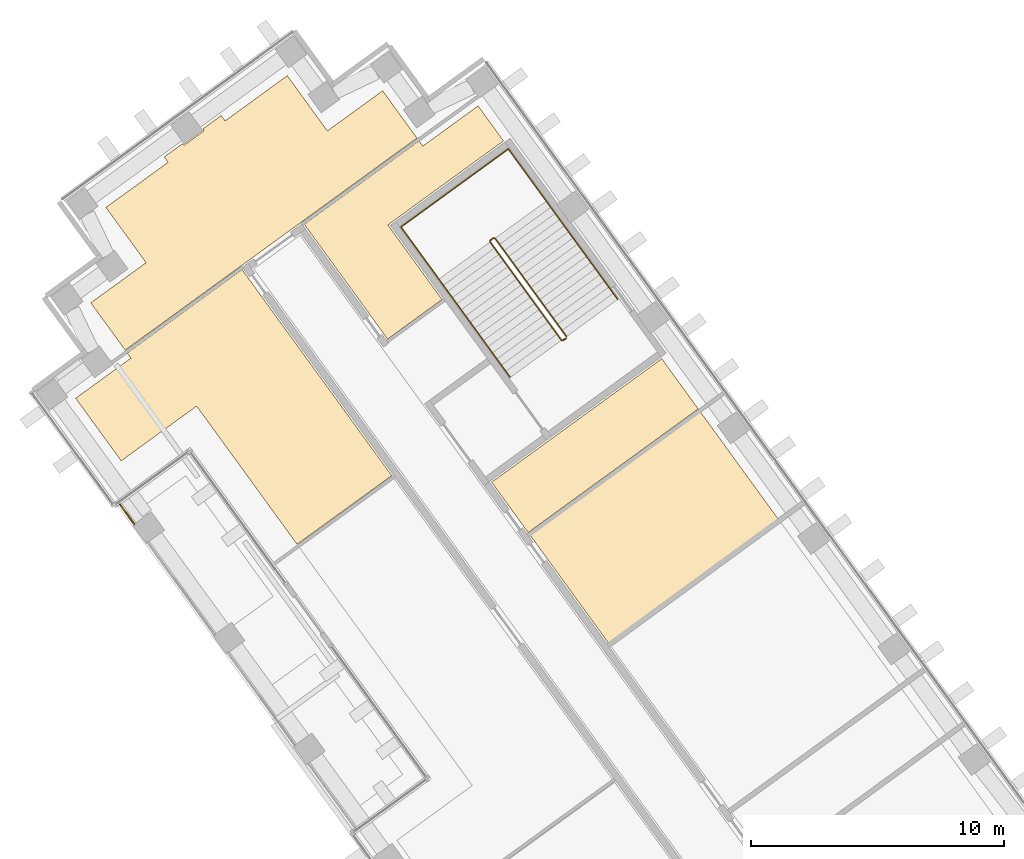
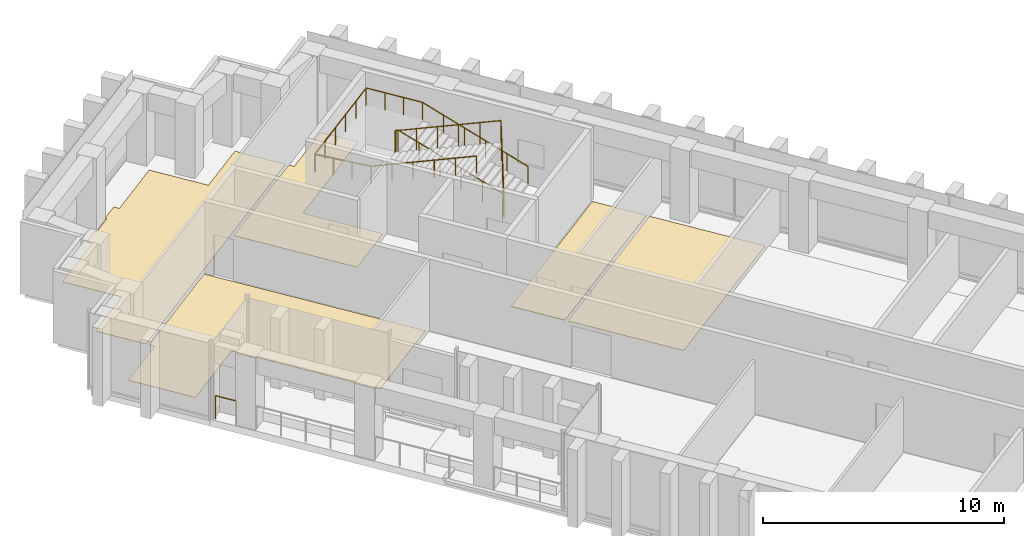
# One storey, part 15 of 17: 5 coverings, 3 railings.
"""IFC4 building model written with IfcOpenShell, lengths in metres."""

from ifc_helpers import new_model, si_unit, direction, frame, origin, origin_2d, place, context, subcontext, project, spatial, polyline, circle, outline, extrude, material, layer, layer_set, type_object, element, save


model = new_model("IFC4")

# Units and contexts
model_context = context("Model", 3, precision=1e-05, world=origin(), true_north=direction((0.0, 1.0)))
body_context = subcontext(model_context, "Body", "Model", "MODEL_VIEW")
ifc_project = project(units=[si_unit("LENGTHUNIT", "METRE"), si_unit("AREAUNIT", "SQUARE_METRE"), si_unit("VOLUMEUNIT", "CUBIC_METRE"), si_unit("PLANEANGLEUNIT", "RADIAN"), si_unit("MASSUNIT", "GRAM", prefix="KILO")], contexts=[model_context])

# Site, building, storey
site_placement = place(None, origin())
site = spatial("IfcSite", under=ifc_project, at=site_placement, CompositionType="ELEMENT")
building_placement = place(site_placement, origin())
building = spatial("IfcBuilding", under=site, at=building_placement, Name="Quipu Civic Tower", CompositionType="ELEMENT")
storey_placement = place(building_placement, frame((0.0, 0.0, 43.0)))
storey = spatial("IfcBuildingStorey", under=building, at=storey_placement, Name="L09", CompositionType="ELEMENT", Elevation=43.0)

# Coverings
ifc_material_1 = material(Name="Carpet tile on raised access floor")
ifc_layer_1 = layer(ifc_material_1, 0.02001953125)
ifc_layer_set_1 = layer_set([ifc_layer_1], Name="Carpet tile on raised access floor")
covering_type_1 = type_object("IfcCoveringType", Name="Carpet tile floor finish 20", PredefinedType="FLOORING", material=ifc_layer_set_1)
covering_1_placement = place(storey_placement, origin())
element("IfcCovering", 1, at=covering_1_placement, inside=storey, type_object=covering_type_1, Name="Carpet tile floor finish 20", PredefinedType="FLOORING", context=body_context, shape_type="SweptSolid", body=[
    extrude(outline(polyline([(-44.445068359375, 36.23193359375), (-39.906005859375, 39.530029296875), (-39.757080078125, 39.327880859375), (-37.573974609375, 40.9130859375), (-36.570068359375, 39.530029296875), (-41.139892578125, 36.208984375), (-38.998046875, 33.260009765625), (-41.15087890625, 31.697021484375), (-44.445068359375, 36.23193359375)])), origin(), (0.0, 0.0, 1.0), 0.02001953125),
])
covering_2_placement = place(storey_placement, origin())
element("IfcCovering", 2, at=covering_2_placement, inside=storey, type_object=covering_type_1, Name="Carpet tile floor finish 20", PredefinedType="FLOORING", context=body_context, shape_type="SweptSolid", body=[
    extrude(outline(polyline([(-53.47998046875, 29.35791015625), (-51.298095703125, 30.943115234375), (-51.443115234375, 31.14599609375), (-46.904052734375, 34.444091796875), (-40.988037109375, 26.301025390625), (-44.72998046875, 23.583984375), (-48.699951171875, 29.048095703125), (-51.681884765625, 26.882080078125), (-53.47998046875, 29.35791015625)])), origin(), (0.0, 0.0, 1.0), 0.02001953125),
])
covering_3_placement = place(storey_placement, origin())
element("IfcCovering", 3, at=covering_3_placement, inside=storey, type_object=covering_type_1, Name="Carpet tile floor finish 20", PredefinedType="FLOORING", context=body_context, shape_type="SweptSolid", body=[
    extrude(outline(polyline([(-35.512939453125, 23.93896484375), (-28.7900390625, 28.822021484375), (-25.698974609375, 24.56689453125), (-32.422119140625, 19.68310546875), (-35.512939453125, 23.93896484375)])), origin(), (0.0, 0.0, 1.0), 0.02001953125),
])
covering_4_placement = place(storey_placement, origin())
element("IfcCovering", 4, at=covering_4_placement, inside=storey, type_object=covering_type_1, Name="Carpet tile floor finish 20", PredefinedType="FLOORING", context=body_context, shape_type="SweptSolid", body=[
    extrude(outline(polyline([(-52.883056640625, 33.12890625), (-50.698974609375, 34.717041015625), (-52.284912109375, 36.90087890625), (-49.826904296875, 38.68603515625), (-49.97900390625, 38.89697265625), (-49.259033203125, 39.4208984375), (-49.236083984375, 39.388916015625), (-49.23291015625, 39.385009765625), (-49.22900390625, 39.382080078125), (-49.22607421875, 39.3779296875), (-49.220947265625, 39.3759765625), (-49.217041015625, 39.373046875), (-49.212890625, 39.37109375), (-49.2080078125, 39.3701171875), (-49.202880859375, 39.368896484375), (-49.197998046875, 39.367919921875), (-49.193115234375, 39.367919921875), (-49.18896484375, 39.368896484375), (-49.18408203125, 39.3701171875), (-49.178955078125, 39.37109375), (-49.174072265625, 39.373046875), (-49.169921875, 39.375), (-49.166015625, 39.3779296875), (-48.43798828125, 39.906982421875), (-48.43408203125, 39.909912109375), (-48.430908203125, 39.9130859375), (-48.427001953125, 39.9169921875), (-48.425048828125, 39.9208984375), (-48.422119140625, 39.926025390625), (-48.419921875, 39.929931640625), (-48.4189453125, 39.93505859375), (-48.41796875, 39.93994140625), (-48.4169921875, 39.944091796875), (-48.4169921875, 39.948974609375), (-48.41796875, 39.9541015625), (-48.4189453125, 39.958984375), (-48.419921875, 39.964111328125), (-48.422119140625, 39.968017578125), (-48.424072265625, 39.972900390625), (-48.427001953125, 39.97705078125), (-48.449951171875, 40.008056640625), (-47.72900390625, 40.531982421875), (-47.574951171875, 40.322021484375), (-45.116943359375, 42.10791015625), (-43.531982421875, 39.925048828125), (-41.346923828125, 41.510986328125), (-39.989013671875, 39.64208984375), (-51.52587890625, 31.260009765625), (-52.883056640625, 33.12890625)])), origin(), (0.0, 0.0, 1.0), 0.02001953125),
])
ifc_material_2 = material(Name="Ceramic floor tile")
ifc_layer_2 = layer(ifc_material_2, 0.030029296875)
ifc_layer_set_2 = layer_set([ifc_layer_2], Name="Ceramic floor tile")
covering_type_2 = type_object("IfcCoveringType", Name="Ceramic tile floor finish 30", PredefinedType="FLOORING", material=ifc_layer_set_2)
covering_5_placement = place(storey_placement, origin())
element("IfcCovering", 5, at=covering_5_placement, inside=storey, type_object=covering_type_2, Name="Ceramic tile floor finish 30", PredefinedType="FLOORING", context=body_context, shape_type="SweptSolid", body=[
    extrude(outline(polyline([(-37.0380859375, 26.0380859375), (-30.31494140625, 30.922119140625), (-28.873046875, 28.93505859375), (-35.595947265625, 24.052001953125), (-37.0380859375, 26.0380859375)])), origin(), (0.0, 0.0, 1.0), 0.030029296875),
])

# Railings
ifc_material_3 = material(Name="Stainless steel", Category="steel")
railing_type_1 = type_object("IfcRailingType", Name="Stair guard 1100", PredefinedType="GUARDRAIL", material=ifc_material_3)
railing_1_placement = place(storey_placement, frame((-34.078857421875, 31.79736328125, 0.11767578125)))
element("IfcRailing", 6, at=railing_1_placement, inside=storey, type_object=railing_type_1, Name="Stair 6 guard", PredefinedType="GUARDRAIL", context=body_context, shape_type="SweptSolid", body=[
    extrude(circle(Radius=0.02392578125, at=origin_2d()), frame((0.0, 0.0, 1.076171875), z_axis=(-0.54720100349, 0.753182689643, 0.365084781664), x_axis=(-0.809026317077, -0.587772420479, 0.0)), (0.0, 0.0, 1.0), 5.15576171875),
    extrude(circle(Radius=0.02392578125, at=origin_2d()), frame((-2.8212890625, 3.88330078125, 2.95849609375), z_axis=(-0.987846838465, 0.155430446612, 0.0), x_axis=(-0.155430446612, -0.987846838465, 0.0)), (0.0, 0.0, 1.0), 0.07080078125),
    extrude(circle(Radius=0.02392578125, at=origin_2d()), frame((-2.89111328125, 3.894287109375, 2.95849609375), z_axis=(-0.809649071907, -0.586914287065, 0.0), x_axis=(0.586914287065, -0.809649071907, 0.0)), (0.0, 0.0, 1.0), 0.150146484375),
    extrude(circle(Radius=0.02392578125, at=origin_2d()), frame((-3.0126953125, 3.80615234375, 2.95849609375), z_axis=(-0.080033047627, -0.508654480474, 0.857242865693), x_axis=(0.987846838465, -0.155430446612, 0.0)), (0.0, 0.0, 1.0), 0.13720703125),
    extrude(circle(Radius=0.02392578125, at=origin_2d()), frame((-3.023681640625, 3.736328125, 3.076171875), z_axis=(0.54720100349, -0.753182689643, 0.365084781664), x_axis=(0.809026317077, 0.587772420479, 0.0)), (0.0, 0.0, 1.0), 5.15576171875),
    extrude(circle(Radius=0.02392578125, at=origin_2d()), frame((-0.202392578125, -0.14697265625, 4.95849609375), z_axis=(0.047788004556, 0.019261491632, -0.998671768681), x_axis=(-0.373837031195, 0.92749440651, 0.0)), (0.0, 0.0, 1.0), 4.00537109375),
    extrude(circle(Radius=0.02392578125, at=origin_2d()), frame((-0.010986328125, -0.06982421875, 0.95849609375), z_axis=(-0.809087927272, -0.587687609145, 0.0), x_axis=(0.587687609145, -0.809087927272, 0.0)), (0.0, 0.0, 1.0), 0.14990234375),
    extrude(circle(Radius=0.02099609375, at=origin_2d()), origin(), (0.0, 0.0, 1.0), 1.052001953125),
    extrude(circle(Radius=0.02099609375, at=origin_2d()), frame((-0.564208984375, 0.776611328125, 0.37646484375)), (0.0, 0.0, 1.0), 1.052001953125),
    extrude(circle(Radius=0.02099609375, at=origin_2d()), frame((-1.12841796875, 1.55322265625, 0.7529296875)), (0.0, 0.0, 1.0), 1.052001953125),
    extrude(circle(Radius=0.02099609375, at=origin_2d()), frame((-1.69287109375, 2.330078125, 1.12939453125)), (0.0, 0.0, 1.0), 1.052001953125),
    extrude(circle(Radius=0.02099609375, at=origin_2d()), frame((-2.257080078125, 3.106689453125, 1.505859375)), (0.0, 0.0, 1.0), 1.052001953125),
    extrude(circle(Radius=0.02099609375, at=origin_2d()), frame((-2.8212890625, 3.88330078125, 1.88232421875)), (0.0, 0.0, 1.0), 1.052001953125),
    extrude(circle(Radius=0.02099609375, at=origin_2d()), frame((-2.89111328125, 3.894287109375, 1.88232421875)), (0.0, 0.0, 1.0), 1.052001953125),
    extrude(circle(Radius=0.02099609375, at=origin_2d()), frame((-3.0126953125, 3.80615234375, 1.88232421875)), (0.0, 0.0, 1.0), 1.052001953125),
    extrude(circle(Radius=0.02099609375, at=origin_2d()), frame((-3.023681640625, 3.736328125, 2.0)), (0.0, 0.0, 1.0), 1.052001953125),
    extrude(circle(Radius=0.02099609375, at=origin_2d()), frame((-2.45947265625, 2.959716796875, 2.37646484375)), (0.0, 0.0, 1.0), 1.052001953125),
    extrude(circle(Radius=0.02099609375, at=origin_2d()), frame((-1.895263671875, 2.18310546875, 2.7529296875)), (0.0, 0.0, 1.0), 1.052001953125),
    extrude(circle(Radius=0.02099609375, at=origin_2d()), frame((-1.330810546875, 1.40625, 3.12939453125)), (0.0, 0.0, 1.0), 1.052001953125),
    extrude(circle(Radius=0.02099609375, at=origin_2d()), frame((-0.7666015625, 0.629638671875, 3.505859375)), (0.0, 0.0, 1.0), 1.052001953125),
    extrude(circle(Radius=0.02099609375, at=origin_2d()), frame((-0.202392578125, -0.14697265625, 3.88232421875)), (0.0, 0.0, 1.0), 1.052001953125),
    extrude(circle(Radius=0.02099609375, at=origin_2d()), frame((-0.154541015625, -0.127685546875, 2.88232421875)), (0.0, 0.0, 1.0), 1.052001953125),
    extrude(circle(Radius=0.02099609375, at=origin_2d()), frame((-0.106689453125, -0.1083984375, 1.88232421875)), (0.0, 0.0, 1.0), 1.052001953125),
    extrude(circle(Radius=0.02099609375, at=origin_2d()), frame((-0.058837890625, -0.089111328125, 0.88232421875)), (0.0, 0.0, 1.0), 1.052001953125),
    extrude(circle(Radius=0.02099609375, at=origin_2d()), frame((-0.010986328125, -0.06982421875, -0.11767578125)), (0.0, 0.0, 1.0), 1.052001953125),
    extrude(circle(Radius=0.02099609375, at=origin_2d()), frame((-0.13232421875, -0.157958984375, -0.11767578125)), (0.0, 0.0, 1.0), 1.052001953125),
])
ifc_material_4 = material(Name="Stainless steel", Category="steel")
railing_type_2 = type_object("IfcRailingType", Name="Stair handrail", PredefinedType="HANDRAIL", material=ifc_material_4)
railing_2_placement = place(storey_placement, frame((-32.056396484375, 33.266845703125, 0.11767578125)))
element("IfcRailing", 7, at=railing_2_placement, inside=storey, type_object=railing_type_2, Name="Stair 6 handrail", PredefinedType="HANDRAIL", context=body_context, shape_type="SweptSolid", body=[
    extrude(circle(Radius=0.02392578125, at=origin_2d()), frame((0.0, 0.0, 0.8759765625), z_axis=(-0.54720100349, 0.753182689643, 0.365084781664), x_axis=(-0.809026317077, -0.587772420479, 0.0)), (0.0, 0.0, 1.0), 5.15576171875),
    extrude(circle(Radius=0.02392578125, at=origin_2d()), frame((-2.8212890625, 3.88330078125, 2.75830078125), z_axis=(-0.587767432704, 0.809029940764, 0.0), x_axis=(-0.809029940764, -0.587767432704, 0.0)), (0.0, 0.0, 1.0), 2.550048828125),
    extrude(circle(Radius=0.02392578125, at=origin_2d()), frame((-4.320068359375, 5.9462890625, 2.75830078125), z_axis=(-0.809009483706, -0.587795589702, 0.0), x_axis=(0.587795589702, -0.809009483706, 0.0)), (0.0, 0.0, 1.0), 5.25),
    extrude(circle(Radius=0.02392578125, at=origin_2d()), frame((-8.5673828125, 2.8603515625, 2.75830078125), z_axis=(0.587142558822, -0.808169835812, 0.046099155132), x_axis=(0.809029940764, 0.587767432704, 0.0)), (0.0, 0.0, 1.0), 2.552734375),
    extrude(circle(Radius=0.02392578125, at=origin_2d()), frame((-7.068603515625, 0.79736328125, 2.8759765625), z_axis=(0.54720100349, -0.753182689643, 0.365084781664), x_axis=(0.809026317077, 0.587772420479, 0.0)), (0.0, 0.0, 1.0), 5.15576171875),
    extrude(circle(Radius=0.02099609375, at=origin_2d()), origin(), (0.0, 0.0, 1.0), 0.851806640625),
    extrude(circle(Radius=0.02099609375, at=origin_2d()), frame((-0.564208984375, 0.776611328125, 0.37646484375)), (0.0, 0.0, 1.0), 0.851806640625),
    extrude(circle(Radius=0.02099609375, at=origin_2d()), frame((-1.12841796875, 1.55322265625, 0.7529296875)), (0.0, 0.0, 1.0), 0.851806640625),
    extrude(circle(Radius=0.02099609375, at=origin_2d()), frame((-1.69287109375, 2.330078125, 1.12939453125)), (0.0, 0.0, 1.0), 0.851806640625),
    extrude(circle(Radius=0.02099609375, at=origin_2d()), frame((-2.257080078125, 3.106689453125, 1.505859375)), (0.0, 0.0, 1.0), 0.851806640625),
    extrude(circle(Radius=0.02099609375, at=origin_2d()), frame((-2.8212890625, 3.88330078125, 1.88232421875)), (0.0, 0.0, 1.0), 0.851806640625),
    extrude(circle(Radius=0.02099609375, at=origin_2d()), frame((-3.32080078125, 4.571044921875, 1.88232421875)), (0.0, 0.0, 1.0), 0.851806640625),
    extrude(circle(Radius=0.02099609375, at=origin_2d()), frame((-3.820556640625, 5.258544921875, 1.88232421875)), (0.0, 0.0, 1.0), 0.851806640625),
    extrude(circle(Radius=0.02099609375, at=origin_2d()), frame((-4.320068359375, 5.9462890625, 1.88232421875)), (0.0, 0.0, 1.0), 0.851806640625),
    extrude(circle(Radius=0.02099609375, at=origin_2d()), frame((-5.16943359375, 5.3291015625, 1.88232421875)), (0.0, 0.0, 1.0), 0.851806640625),
    extrude(circle(Radius=0.02099609375, at=origin_2d()), frame((-6.01904296875, 4.7119140625, 1.88232421875)), (0.0, 0.0, 1.0), 0.851806640625),
    extrude(circle(Radius=0.02099609375, at=origin_2d()), frame((-6.868408203125, 4.0947265625, 1.88232421875)), (0.0, 0.0, 1.0), 0.851806640625),
    extrude(circle(Radius=0.02099609375, at=origin_2d()), frame((-7.718017578125, 3.4775390625, 1.88232421875)), (0.0, 0.0, 1.0), 0.851806640625),
    extrude(circle(Radius=0.02099609375, at=origin_2d()), frame((-8.5673828125, 2.8603515625, 1.88232421875)), (0.0, 0.0, 1.0), 0.851806640625),
    extrude(circle(Radius=0.02099609375, at=origin_2d()), frame((-8.06787109375, 2.172607421875, 1.921630859375)), (0.0, 0.0, 1.0), 0.851806640625),
    extrude(circle(Radius=0.02099609375, at=origin_2d()), frame((-7.568115234375, 1.485107421875, 1.960693359375)), (0.0, 0.0, 1.0), 0.851806640625),
    extrude(circle(Radius=0.02099609375, at=origin_2d()), frame((-7.068603515625, 0.79736328125, 2.0)), (0.0, 0.0, 1.0), 0.851806640625),
    extrude(circle(Radius=0.02099609375, at=origin_2d()), frame((-6.50439453125, 0.020751953125, 2.37646484375)), (0.0, 0.0, 1.0), 0.851806640625),
    extrude(circle(Radius=0.02099609375, at=origin_2d()), frame((-5.940185546875, -0.755859375, 2.7529296875)), (0.0, 0.0, 1.0), 0.851806640625),
    extrude(circle(Radius=0.02099609375, at=origin_2d()), frame((-5.375732421875, -1.53271484375, 3.12939453125)), (0.0, 0.0, 1.0), 0.851806640625),
    extrude(circle(Radius=0.02099609375, at=origin_2d()), frame((-4.8115234375, -2.309326171875, 3.505859375)), (0.0, 0.0, 1.0), 0.851806640625),
    extrude(circle(Radius=0.02099609375, at=origin_2d()), frame((-4.247314453125, -3.0859375, 3.88232421875)), (0.0, 0.0, 1.0), 0.851806640625),
])
ifc_material_5 = material(Name="Steel S275", Category="steel")
railing_type_3 = type_object("IfcRailingType", Name="Terrace guard G1", PredefinedType="GUARDRAIL", material=ifc_material_5)
railing_3_placement = place(storey_placement, frame((-51.725830078125, 25.156494140625, 0.0)))
element("IfcRailing", 8, at=railing_3_placement, inside=storey, type_object=railing_type_3, Name="Terrace guard L09.1", PredefinedType="GUARDRAIL", context=body_context, shape_type="SweptSolid", body=[
    extrude(circle(Radius=0.02490234375, at=origin_2d()), frame((0.0, 0.0, 1.1748046875), z_axis=(0.587821974901, -0.808990312565, 0.0), x_axis=(0.808990312565, 0.587821974901, 0.0)), (0.0, 0.0, 1.0), 0.954833984375),
    extrude(circle(Radius=0.02490234375, at=origin_2d()), origin(), (0.0, 0.0, 1.0), 1.14990234375),
    extrude(circle(Radius=0.02490234375, at=origin_2d()), frame((0.561279296875, -0.7724609375, 0.0)), (0.0, 0.0, 1.0), 1.14990234375),
])

save(model, "model.ifc")
